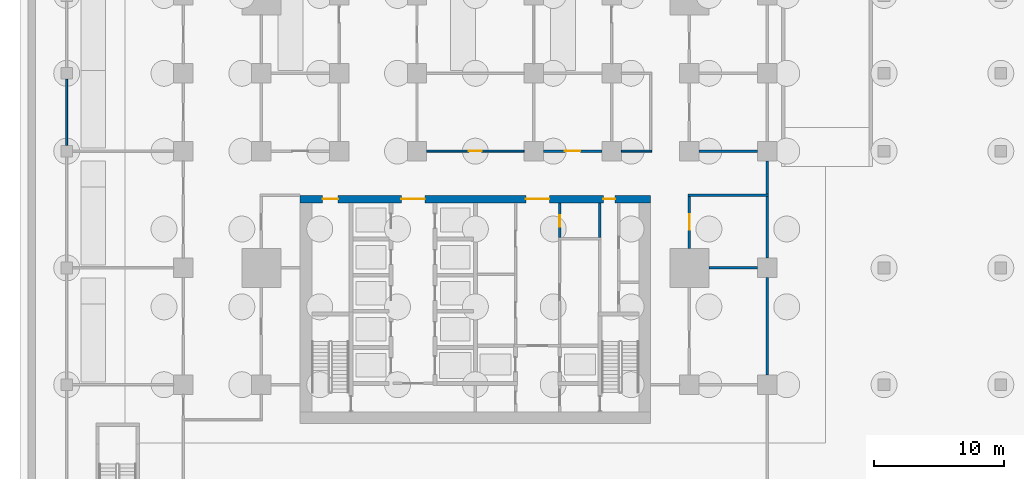
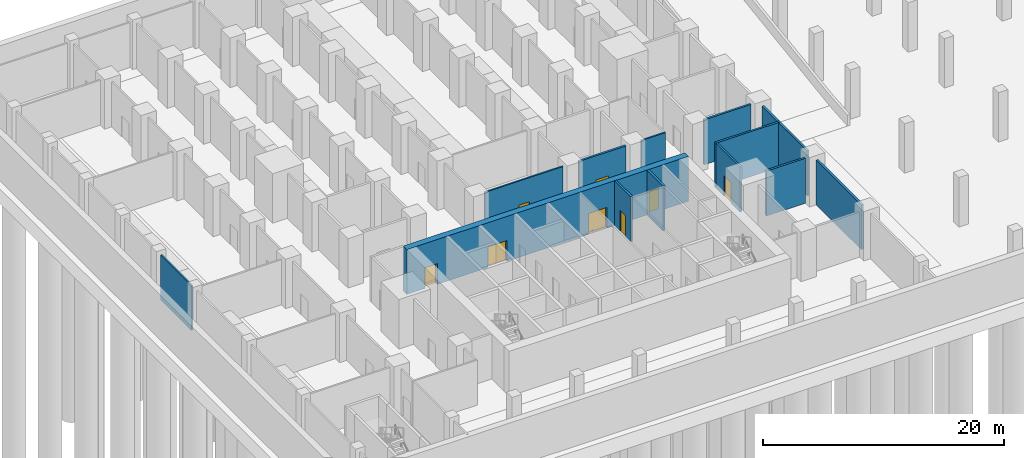
# One storey, part 7 of 12: 14 walls, 8 doors, 8 openings.
"""IFC4 building model written with IfcOpenShell, lengths in metres."""

from ifc_helpers import new_model, si_unit, direction, frame, frame_2d, origin, place, context, subcontext, project, spatial, rectangle, extrude, material, layer, layer_set, type_object, element, fill, save


model = new_model("IFC4")

# Units and contexts
model_context = context("Model", 3, precision=1e-05, world=origin(), true_north=direction((0.0, 1.0)))
body_context = subcontext(model_context, "Body", "Model", "MODEL_VIEW")
ifc_project = project(units=[si_unit("LENGTHUNIT", "METRE"), si_unit("AREAUNIT", "SQUARE_METRE"), si_unit("VOLUMEUNIT", "CUBIC_METRE"), si_unit("PLANEANGLEUNIT", "RADIAN"), si_unit("MASSUNIT", "GRAM", prefix="KILO")], contexts=[model_context])

# Site, building, storey
site_placement = place(None, origin())
site = spatial("IfcSite", under=ifc_project, at=site_placement, CompositionType="ELEMENT")
building_placement = place(site_placement, origin())
building = spatial("IfcBuilding", under=site, at=building_placement, Name="Finial Court Residences", CompositionType="ELEMENT")
storey_placement = place(building_placement, frame((0.0, 0.0, -5.0)))
storey = spatial("IfcBuildingStorey", under=building, at=storey_placement, Name="B1", CompositionType="ELEMENT", Elevation=-5.0)

# Wall, opening, door
ifc_material_1 = material(Name="Concrete C25/30", Category="concrete")
ifc_layer_1 = layer(ifc_material_1, 0.14990234375)
ifc_layer_set_1 = layer_set([ifc_layer_1], Name="Basement partition 150 Concrete C25/30")
wall_type_1 = type_object("IfcWallType", Name="Basement partition 150 Concrete C25/30", PredefinedType="PARTITIONING", material=ifc_layer_set_1)
wall_1_placement = place(storey_placement, frame((3.75, -4.5, 0.0), z_axis=(0.0, 0.0, 1.0), x_axis=(-1.0, 0.0, 0.0)))
wall_1 = element("IfcWall", 1, at=wall_1_placement, inside=storey, type_object=wall_type_1, Name="Basement partition B1-V013", PredefinedType="PARTITIONING", context=body_context, shape_type="SweptSolid", body=[
    extrude(rectangle(XDim=7.5, YDim=0.14990234375, at=frame_2d((3.75, 0.0))), origin(), (0.0, 0.0, 1.0), 4.550048828125),
])
opening_1_placement = place(wall_1_placement, frame((3.25, 0.0, 0.0)))
opening_1 = element("IfcOpeningElement", 2, at=opening_1_placement, cuts=wall_1, Name="Opening B1-V26", PredefinedType="OPENING", context=body_context, shape_type="SweptSolid", body=[
    extrude(rectangle(XDim=1.0, YDim=2.10009765625, at=frame_2d((0.5, 1.050048828125))), frame((0.0, 0.0849609375, 0.0), z_axis=(0.0, -1.0, 0.0), x_axis=(1.0, 0.0, 0.0)), (0.0, 0.0, 1.0), 0.169921875),
])
ifc_material_2 = material(Name="Steel fire door", Category="steel")
door_type_1 = type_object("IfcDoorType", Name="Basement room door 1000 x 2100 EI 60", OperationType="NOTDEFINED", PredefinedType="DOOR", material=ifc_material_2)
door_1_placement = place(opening_1_placement, origin())
door_1 = element("IfcDoor", 3, at=door_1_placement, inside=storey, type_object=door_type_1, Name="Basement room door B1-V26", OperationType="SINGLE_SWING_RIGHT", OverallHeight=2.10009765625, OverallWidth=1.0, PredefinedType="DOOR", context=body_context, shape_type="SweptSolid", body=[
    extrude(rectangle(XDim=1.0, YDim=2.10009765625, at=frame_2d((0.5, 1.050048828125))), frame((0.0, 0.02490234375, 0.0), z_axis=(0.0, -1.0, 0.0), x_axis=(1.0, 0.0, 0.0)), (0.0, 0.0, 1.0), 0.050048828125),
])
fill(opening_1, door_1)

# Walls
wall_2_placement = place(storey_placement, frame((11.25, -4.5, 0.0), z_axis=(0.0, 0.0, 1.0), x_axis=(1.0, 0.0, 0.0)))
element("IfcWall", 4, at=wall_2_placement, inside=storey, type_object=wall_type_1, Name="Basement partition B1-V015", PredefinedType="PARTITIONING", context=body_context, shape_type="SweptSolid", body=[
    extrude(rectangle(XDim=2.324951171875, YDim=0.14990234375, at=frame_2d((1.16259765625, 0.0))), origin(), (0.0, 0.0, 1.0), 4.550048828125),
])
wall_3_placement = place(storey_placement, frame((-31.5, -4.050048828125, 0.0), z_axis=(0.0, 0.0, 1.0), x_axis=(0.0, 1.0, 0.0)))
element("IfcWall", 5, at=wall_3_placement, inside=storey, type_object=wall_type_1, Name="Basement partition B1-V037", PredefinedType="PARTITIONING", context=body_context, shape_type="SweptSolid", body=[
    extrude(rectangle(XDim=5.10009765625, YDim=0.14990234375, at=frame_2d((2.550048828125, 0.0))), origin(), (0.0, 0.0, 1.0), 4.550048828125),
])

# Wall, openings, doors
ifc_material_3 = material(Name="Concrete C80/95", Category="concrete")
ifc_layer_2 = layer(ifc_material_3, 0.60009765625)
ifc_layer_set_2 = layer_set([ifc_layer_2], Name="Core outer wall 600 Concrete C80/95")
wall_type_2 = type_object("IfcWallType", Name="Core outer wall 600 Concrete C80/95", PredefinedType="SHEAR", material=ifc_layer_set_2)
wall_4_placement = place(storey_placement, frame((-13.5, -8.199951171875, 0.0), z_axis=(0.0, 0.0, 1.0), x_axis=(1.0, 0.0, 0.0)))
wall_4 = element("IfcWall", 6, at=wall_4_placement, inside=storey, type_object=wall_type_2, Name="Core outer wall B1-02", PredefinedType="SHEAR", context=body_context, shape_type="SweptSolid", body=[
    extrude(rectangle(XDim=27.0, YDim=0.60009765625, at=frame_2d((13.5, 0.0))), origin(), (0.0, 0.0, 1.0), 4.550048828125),
])
opening_2_placement = place(wall_4_placement, frame((7.800048828125, 0.0, 0.0)))
opening_2 = element("IfcOpeningElement", 7, at=opening_2_placement, cuts=wall_4, Name="Opening B1-C04", PredefinedType="OPENING", context=body_context, shape_type="SweptSolid", body=[
    extrude(rectangle(XDim=1.800048828125, YDim=2.10009765625, at=frame_2d((0.89990234375, 1.050048828125))), frame((0.0, 0.31005859375, 0.0), z_axis=(0.0, -1.0, 0.0), x_axis=(1.0, 0.0, 0.0)), (0.0, 0.0, 1.0), 0.6201171875),
])
opening_3_placement = place(wall_4_placement, frame((17.39990234375, 0.0, 0.0)))
opening_3 = element("IfcOpeningElement", 8, at=opening_3_placement, cuts=wall_4, Name="Opening B1-C05", PredefinedType="OPENING", context=body_context, shape_type="SweptSolid", body=[
    extrude(rectangle(XDim=1.800048828125, YDim=2.10009765625, at=frame_2d((0.89990234375, 1.050048828125))), frame((0.0, 0.31005859375, 0.0), z_axis=(0.0, -1.0, 0.0), x_axis=(1.0, 0.0, 0.0)), (0.0, 0.0, 1.0), 0.6201171875),
])
opening_4_placement = place(wall_4_placement, frame((1.72509765625, 0.0, 0.0)))
opening_4 = element("IfcOpeningElement", 9, at=opening_4_placement, cuts=wall_4, Name="Opening B1-C09", PredefinedType="OPENING", context=body_context, shape_type="SweptSolid", body=[
    extrude(rectangle(XDim=1.199951171875, YDim=2.10009765625, at=frame_2d((0.60009765625, 1.050048828125))), frame((0.0, 0.31005859375, 0.0), z_axis=(0.0, -1.0, 0.0), x_axis=(1.0, 0.0, 0.0)), (0.0, 0.0, 1.0), 0.6201171875),
])
opening_5_placement = place(wall_4_placement, frame((23.375, 0.0, 0.0)))
opening_5 = element("IfcOpeningElement", 10, at=opening_5_placement, cuts=wall_4, Name="Opening B1-C10", PredefinedType="OPENING", context=body_context, shape_type="SweptSolid", body=[
    extrude(rectangle(XDim=0.89990234375, YDim=2.10009765625, at=frame_2d((0.449951171875, 1.050048828125))), frame((0.0, 0.31005859375, 0.0), z_axis=(0.0, -1.0, 0.0), x_axis=(1.0, 0.0, 0.0)), (0.0, 0.0, 1.0), 0.6201171875),
])
door_type_2 = type_object("IfcDoorType", Name="Lift lobby door 1800 x 2100 EI 60", OperationType="DOUBLE_DOOR_SINGLE_SWING", PredefinedType="DOOR", material=ifc_material_2)
door_2_placement = place(opening_2_placement, origin())
door_2 = element("IfcDoor", 11, at=door_2_placement, inside=storey, type_object=door_type_2, Name="Lift lobby door B1-C04", OperationType="DOUBLE_DOOR_SINGLE_SWING", OverallHeight=2.10009765625, OverallWidth=1.800048828125, PredefinedType="DOOR", context=body_context, shape_type="SweptSolid", body=[
    extrude(rectangle(XDim=1.800048828125, YDim=2.10009765625, at=frame_2d((0.89990234375, 1.050048828125))), frame((0.0, 0.02490234375, 0.0), z_axis=(0.0, -1.0, 0.0), x_axis=(1.0, 0.0, 0.0)), (0.0, 0.0, 1.0), 0.050048828125),
])
fill(opening_2, door_2)
door_3_placement = place(opening_3_placement, origin())
door_3 = element("IfcDoor", 12, at=door_3_placement, inside=storey, type_object=door_type_2, Name="Lift lobby door B1-C05", OperationType="DOUBLE_DOOR_SINGLE_SWING", OverallHeight=2.10009765625, OverallWidth=1.800048828125, PredefinedType="DOOR", context=body_context, shape_type="SweptSolid", body=[
    extrude(rectangle(XDim=1.800048828125, YDim=2.10009765625, at=frame_2d((0.89990234375, 1.050048828125))), frame((0.0, 0.02490234375, 0.0), z_axis=(0.0, -1.0, 0.0), x_axis=(1.0, 0.0, 0.0)), (0.0, 0.0, 1.0), 0.050048828125),
])
fill(opening_3, door_3)
door_type_3 = type_object("IfcDoorType", Name="Riser room door 1200 x 2100 EI 90", OperationType="NOTDEFINED", PredefinedType="DOOR", material=ifc_material_2)
door_4_placement = place(opening_4_placement, origin())
door_4 = element("IfcDoor", 13, at=door_4_placement, inside=storey, type_object=door_type_3, Name="Riser room door B1-C09", OperationType="SINGLE_SWING_LEFT", OverallHeight=2.10009765625, OverallWidth=1.199951171875, PredefinedType="DOOR", context=body_context, shape_type="SweptSolid", body=[
    extrude(rectangle(XDim=1.199951171875, YDim=2.10009765625, at=frame_2d((0.60009765625, 1.050048828125))), frame((0.0, 0.02490234375, 0.0), z_axis=(0.0, -1.0, 0.0), x_axis=(1.0, 0.0, 0.0)), (0.0, 0.0, 1.0), 0.050048828125),
])
fill(opening_4, door_4)
door_type_4 = type_object("IfcDoorType", Name="Riser room door 900 x 2100 EI 90", OperationType="NOTDEFINED", PredefinedType="DOOR", material=ifc_material_2)
door_5_placement = place(opening_5_placement, origin())
door_5 = element("IfcDoor", 14, at=door_5_placement, inside=storey, type_object=door_type_4, Name="Riser room door B1-C10", OperationType="SINGLE_SWING_LEFT", OverallHeight=2.10009765625, OverallWidth=0.89990234375, PredefinedType="DOOR", context=body_context, shape_type="SweptSolid", body=[
    extrude(rectangle(XDim=0.89990234375, YDim=2.10009765625, at=frame_2d((0.449951171875, 1.050048828125))), frame((0.0, 0.02490234375, 0.0), z_axis=(0.0, -1.0, 0.0), x_axis=(1.0, 0.0, 0.0)), (0.0, 0.0, 1.0), 0.050048828125),
])
fill(opening_5, door_5)

# Walls
ifc_material_4 = material(Name="Concrete C32/40", Category="concrete")
ifc_layer_3 = layer(ifc_material_4, 0.199951171875)
ifc_layer_set_3 = layer_set([ifc_layer_3], Name="Garage separation wall 200 Concrete C32/40")
wall_type_3 = type_object("IfcWallType", Name="Garage separation wall 200 Concrete C32/40", PredefinedType="SOLIDWALL", material=ifc_layer_set_3)
wall_5_placement = place(storey_placement, frame((22.5, -7.800048828125, 0.0), z_axis=(0.0, 0.0, 1.0), x_axis=(0.0, 1.0, 0.0)))
element("IfcWall", 15, at=wall_5_placement, inside=storey, type_object=wall_type_3, Name="Garage separation wall B1-V100", PredefinedType="SOLIDWALL", context=body_context, shape_type="SweptSolid", body=[
    extrude(rectangle(XDim=2.550048828125, YDim=0.199951171875, at=frame_2d((1.27490234375, 0.0))), origin(), (0.0, 0.0, 1.0), 4.550048828125),
])
ifc_layer_4 = layer(ifc_material_4, 0.199951171875)
ifc_layer_set_4 = layer_set([ifc_layer_4], Name="Plant room wall 200 Concrete C32/40")
wall_type_4 = type_object("IfcWallType", Name="Plant room wall 200 Concrete C32/40", PredefinedType="SOLIDWALL", material=ifc_layer_set_4)
wall_6_placement = place(storey_placement, frame((18.0, -13.5, 0.0), z_axis=(0.0, 0.0, 1.0), x_axis=(1.0, 0.0, 0.0)))
element("IfcWall", 16, at=wall_6_placement, inside=storey, type_object=wall_type_4, Name="Plant room wall B1-V008", PredefinedType="SOLIDWALL", context=body_context, shape_type="SweptSolid", body=[
    extrude(rectangle(XDim=3.75, YDim=0.199951171875, at=frame_2d((1.875, 0.0))), origin(), (0.0, 0.0, 1.0), 4.550048828125),
])
wall_7_placement = place(storey_placement, frame((16.39990234375, -7.89990234375, 0.0), z_axis=(0.0, 0.0, 1.0), x_axis=(1.0, 0.0, 0.0)))
element("IfcWall", 17, at=wall_7_placement, inside=storey, type_object=wall_type_4, Name="Plant room wall B1-V010", PredefinedType="SOLIDWALL", context=body_context, shape_type="SweptSolid", body=[
    extrude(rectangle(XDim=6.2001953125, YDim=0.199951171875, at=frame_2d((3.10009765625, 0.0))), origin(), (0.0, 0.0, 1.0), 4.550048828125),
])

# Wall, opening, door
wall_8_placement = place(storey_placement, frame((9.75, -4.5, 0.0), z_axis=(0.0, 0.0, 1.0), x_axis=(-1.0, 0.0, 0.0)))
wall_8 = element("IfcWall", 18, at=wall_8_placement, inside=storey, type_object=wall_type_4, Name="Plant room wall B1-V014", PredefinedType="SOLIDWALL", context=body_context, shape_type="SweptSolid", body=[
    extrude(rectangle(XDim=4.5, YDim=0.199951171875, at=frame_2d((2.25, 0.0))), origin(), (0.0, 0.0, 1.0), 4.550048828125),
])
opening_6_placement = place(wall_8_placement, frame((1.64990234375, 0.0, 0.0)))
opening_6 = element("IfcOpeningElement", 19, at=opening_6_placement, cuts=wall_8, Name="Opening B1-V27", PredefinedType="OPENING", context=body_context, shape_type="SweptSolid", body=[
    extrude(rectangle(XDim=1.199951171875, YDim=2.10009765625, at=frame_2d((0.60009765625, 1.050048828125))), frame((0.0, 0.10986328125, 0.0), z_axis=(0.0, -1.0, 0.0), x_axis=(1.0, 0.0, 0.0)), (0.0, 0.0, 1.0), 0.219970703125),
])
door_type_5 = type_object("IfcDoorType", Name="Plant room door 1200 x 2100 EI 90", OperationType="NOTDEFINED", PredefinedType="DOOR", material=ifc_material_2)
door_6_placement = place(opening_6_placement, origin())
door_6 = element("IfcDoor", 20, at=door_6_placement, inside=storey, type_object=door_type_5, Name="Plant room door B1-V27", OperationType="SINGLE_SWING_LEFT", OverallHeight=2.10009765625, OverallWidth=1.199951171875, PredefinedType="DOOR", context=body_context, shape_type="SweptSolid", body=[
    extrude(rectangle(XDim=1.199951171875, YDim=2.10009765625, at=frame_2d((0.60009765625, 1.050048828125))), frame((0.0, 0.02490234375, 0.0), z_axis=(0.0, -1.0, 0.0), x_axis=(1.0, 0.0, 0.0)), (0.0, 0.0, 1.0), 0.050048828125),
])
fill(opening_6, door_6)

# Wall
wall_9_placement = place(storey_placement, frame((17.25, -4.5, 0.0), z_axis=(0.0, 0.0, 1.0), x_axis=(1.0, 0.0, 0.0)))
element("IfcWall", 21, at=wall_9_placement, inside=storey, type_object=wall_type_4, Name="Plant room wall B1-V016", PredefinedType="SOLIDWALL", context=body_context, shape_type="SweptSolid", body=[
    extrude(rectangle(XDim=4.5, YDim=0.199951171875, at=frame_2d((2.25, 0.0))), origin(), (0.0, 0.0, 1.0), 4.550048828125),
])

# Wall, opening, door
wall_10_placement = place(storey_placement, frame((16.5, -12.0, 0.0), z_axis=(0.0, 0.0, 1.0), x_axis=(0.0, 1.0, 0.0)))
wall_10 = element("IfcWall", 22, at=wall_10_placement, inside=storey, type_object=wall_type_4, Name="Plant room wall B1-V089", PredefinedType="SOLIDWALL", context=body_context, shape_type="SweptSolid", body=[
    extrude(rectangle(XDim=4.0, YDim=0.199951171875, at=frame_2d((2.0, 0.0))), origin(), (0.0, 0.0, 1.0), 4.550048828125),
])
opening_7_placement = place(wall_10_placement, frame((1.449951171875, 0.0, 0.0)))
opening_7 = element("IfcOpeningElement", 23, at=opening_7_placement, cuts=wall_10, Name="Opening B1-V21", PredefinedType="OPENING", context=body_context, shape_type="SweptSolid", body=[
    extrude(rectangle(XDim=1.199951171875, YDim=2.10009765625, at=frame_2d((0.60009765625, 1.050048828125))), frame((0.0, 0.10986328125, 0.0), z_axis=(0.0, -1.0, 0.0), x_axis=(1.0, 0.0, 0.0)), (0.0, 0.0, 1.0), 0.219970703125),
])
door_7_placement = place(opening_7_placement, origin())
door_7 = element("IfcDoor", 24, at=door_7_placement, inside=storey, type_object=door_type_5, Name="Plant room door B1-V21", OperationType="SINGLE_SWING_LEFT", OverallHeight=2.10009765625, OverallWidth=1.199951171875, PredefinedType="DOOR", context=body_context, shape_type="SweptSolid", body=[
    extrude(rectangle(XDim=1.199951171875, YDim=2.10009765625, at=frame_2d((0.60009765625, 1.050048828125))), frame((0.0, 0.02490234375, 0.0), z_axis=(0.0, -1.0, 0.0), x_axis=(1.0, 0.0, 0.0)), (0.0, 0.0, 1.0), 0.050048828125),
])
fill(opening_7, door_7)

# Walls
wall_11_placement = place(storey_placement, frame((22.5, -21.75, 0.0), z_axis=(0.0, 0.0, 1.0), x_axis=(0.0, 1.0, 0.0)))
element("IfcWall", 25, at=wall_11_placement, inside=storey, type_object=wall_type_4, Name="Plant room wall B1-V098", PredefinedType="SOLIDWALL", context=body_context, shape_type="SweptSolid", body=[
    extrude(rectangle(XDim=7.5, YDim=0.199951171875, at=frame_2d((3.75, 0.0))), origin(), (0.0, 0.0, 1.0), 4.550048828125),
])
wall_12_placement = place(storey_placement, frame((22.5, -12.75, 0.0), z_axis=(0.0, 0.0, 1.0), x_axis=(0.0, 1.0, 0.0)))
element("IfcWall", 26, at=wall_12_placement, inside=storey, type_object=wall_type_4, Name="Plant room wall B1-V099", PredefinedType="SOLIDWALL", context=body_context, shape_type="SweptSolid", body=[
    extrude(rectangle(XDim=4.75, YDim=0.199951171875, at=frame_2d((2.375, 0.0))), origin(), (0.0, 0.0, 1.0), 4.550048828125),
])

# Wall, opening, door
ifc_material_5 = material(Name="Fire-rated gypsum board partition")
ifc_layer_5 = layer(ifc_material_5, 0.199951171875)
ifc_layer_set_5 = layer_set([ifc_layer_5], Name="Riser room wall 200 EI 120")
wall_type_5 = type_object("IfcWallType", Name="Riser room wall 200 EI 120", PredefinedType="PARTITIONING", material=ifc_layer_set_5)
wall_13_placement = place(storey_placement, frame((6.5, -8.5, 0.0), z_axis=(0.0, 0.0, 1.0), x_axis=(0.0, -1.0, 0.0)))
wall_13 = element("IfcWall", 27, at=wall_13_placement, inside=storey, type_object=wall_type_5, Name="Core partition B1-33", PredefinedType="PARTITIONING", context=body_context, shape_type="SweptSolid", body=[
    extrude(rectangle(XDim=2.64990234375, YDim=0.199951171875, at=frame_2d((1.324951171875, 0.0))), origin(), (0.0, 0.0, 1.0), 4.550048828125),
])
opening_8_placement = place(wall_13_placement, frame((0.925048828125, 0.0, 0.0)))
opening_8 = element("IfcOpeningElement", 28, at=opening_8_placement, cuts=wall_13, Name="Opening B1-C08", PredefinedType="OPENING", context=body_context, shape_type="SweptSolid", body=[
    extrude(rectangle(XDim=0.89990234375, YDim=2.10009765625, at=frame_2d((0.449951171875, 1.050048828125))), frame((0.0, 0.10986328125, 0.0), z_axis=(0.0, -1.0, 0.0), x_axis=(1.0, 0.0, 0.0)), (0.0, 0.0, 1.0), 0.219970703125),
])
door_8_placement = place(opening_8_placement, origin())
door_8 = element("IfcDoor", 29, at=door_8_placement, inside=storey, type_object=door_type_4, Name="Riser room door B1-C08", OperationType="SINGLE_SWING_RIGHT", OverallHeight=2.10009765625, OverallWidth=0.89990234375, PredefinedType="DOOR", context=body_context, shape_type="SweptSolid", body=[
    extrude(rectangle(XDim=0.89990234375, YDim=2.10009765625, at=frame_2d((0.449951171875, 1.050048828125))), frame((0.0, 0.02490234375, 0.0), z_axis=(0.0, -1.0, 0.0), x_axis=(1.0, 0.0, 0.0)), (0.0, 0.0, 1.0), 0.050048828125),
])
fill(opening_8, door_8)

# Wall
wall_14_placement = place(storey_placement, frame((9.60009765625, -11.14990234375, 0.0), z_axis=(0.0, 0.0, 1.0), x_axis=(0.0, 1.0, 0.0)))
element("IfcWall", 30, at=wall_14_placement, inside=storey, type_object=wall_type_5, Name="Core partition B1-36", PredefinedType="PARTITIONING", context=body_context, shape_type="SweptSolid", body=[
    extrude(rectangle(XDim=2.64990234375, YDim=0.199951171875, at=frame_2d((1.324951171875, 0.0))), origin(), (0.0, 0.0, 1.0), 4.550048828125),
])

save(model, "model.ifc")
